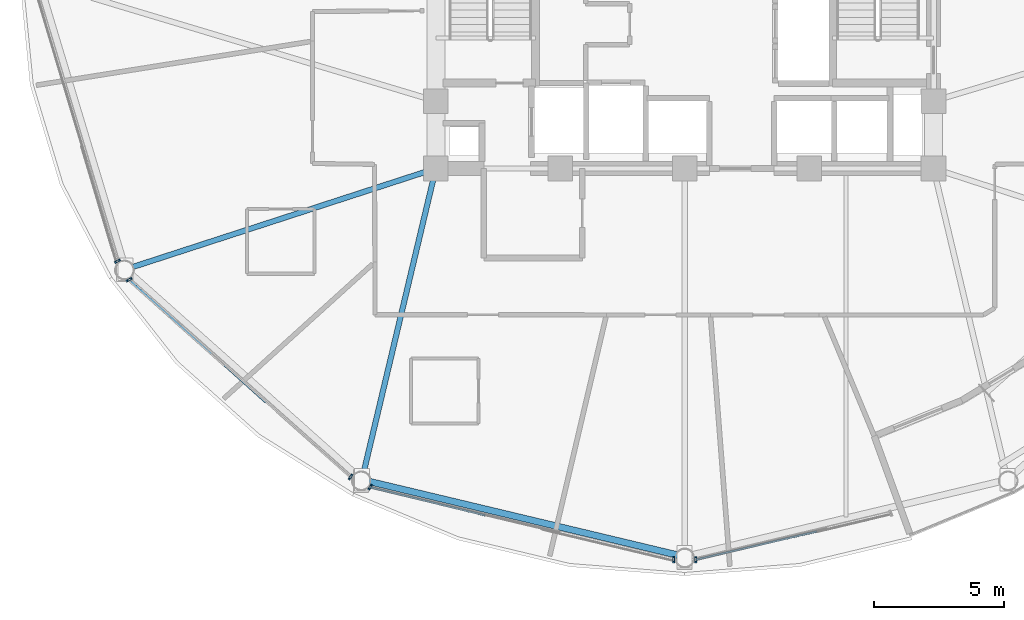
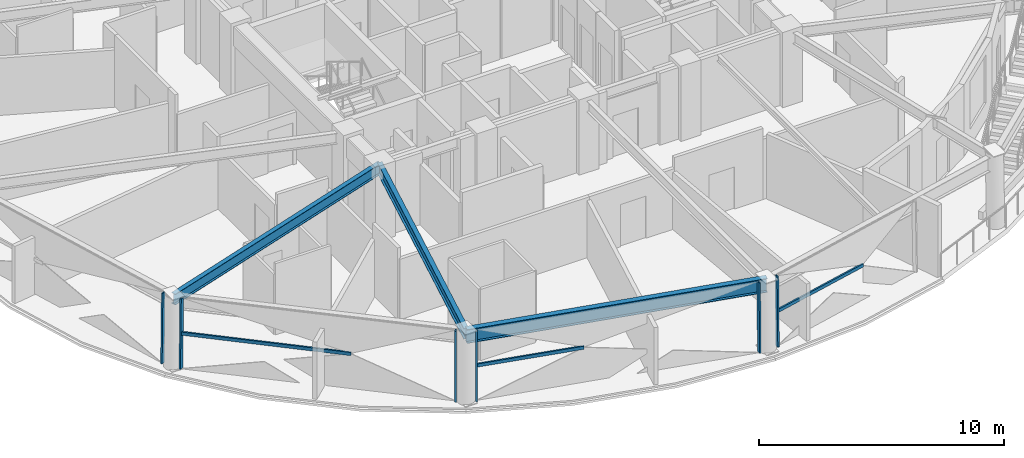
# One storey, part 2 of 18: 9 members, 3 beams, 4 elements without a shape of their own.
"""IFC4 building model written with IfcOpenShell, lengths in metres."""

from ifc_helpers import new_model, si_unit, direction, frame, origin, origin_2d, place, context, subcontext, project, spatial, hollow_rectangle, i_section, extrude, material, layer, layer_set, material_profile, profile_set, type_object, element, aggregate, save


model = new_model("IFC4")

# Units and contexts
model_context = context("Model", 3, precision=1e-05, world=origin(), true_north=direction((0.0, 1.0)))
body_context = subcontext(model_context, "Body", "Model", "MODEL_VIEW")
ifc_project = project(units=[si_unit("LENGTHUNIT", "METRE"), si_unit("AREAUNIT", "SQUARE_METRE"), si_unit("VOLUMEUNIT", "CUBIC_METRE"), si_unit("PLANEANGLEUNIT", "RADIAN"), si_unit("MASSUNIT", "GRAM", prefix="KILO")], contexts=[model_context])

# Site, building, storey
site_placement = place(None, origin())
site = spatial("IfcSite", under=ifc_project, at=site_placement, CompositionType="ELEMENT")
building_placement = place(site_placement, origin())
building = spatial("IfcBuilding", under=site, at=building_placement, Name="Vantalir Tower", CompositionType="ELEMENT")
storey_placement = place(building_placement, frame((0.0, 0.0, 138.449951171875)))
storey = spatial("IfcBuildingStorey", under=building, at=storey_placement, Name="L34", CompositionType="ELEMENT", Elevation=138.449951171875)

# Beams
ifc_material_1 = material(Name="Steel S355", Category="steel")
ifc_material_profile_1 = material_profile(ifc_material_1, i_section(OverallWidth=0.2109375, OverallDepth=0.5390625, WebThickness=0.01171875, FlangeThickness=0.018798828125, at=origin_2d()), Name="Steel S355")
ifc_profile_set_1 = profile_set([ifc_material_profile_1], Name="Steel S355")
beam_type_1 = type_object("IfcBeamType", Name="BM-RB-533x210", PredefinedType="BEAM", material=ifc_profile_set_1)
beam_1_placement = place(storey_placement, frame((9.929931640625, 13.909912109375, 3.301025390625), z_axis=(0.95103649201, 0.309078615996, 0.0), x_axis=(-0.309078615996, 0.95103649201, 0.0)))
element("IfcBeam", 1, at=beam_1_placement, inside=storey, type_object=beam_type_1, Name="L34 Radial Floor Beam 08", PredefinedType="BEAM", context=body_context, shape_type="SweptSolid", body=[
    extrude(i_section(OverallWidth=0.2109375, OverallDepth=0.5390625, WebThickness=0.01171875, FlangeThickness=0.018798828125, at=origin_2d()), origin(), (0.0, 0.0, 1.0), 12.586181640625),
])
beam_2_placement = place(storey_placement, frame((19.0458984375, 5.7919921875, 3.301025390625), z_axis=(0.231232753845, 0.972898460041, 0.0), x_axis=(-0.972898460041, 0.231232753845, 0.0)))
element("IfcBeam", 2, at=beam_2_placement, inside=storey, type_object=beam_type_1, Name="L34 Radial Floor Beam 09", PredefinedType="BEAM", context=body_context, shape_type="SweptSolid", body=[
    extrude(i_section(OverallWidth=0.2109375, OverallDepth=0.5390625, WebThickness=0.01171875, FlangeThickness=0.018798828125, at=origin_2d()), origin(), (0.0, 0.0, 1.0), 12.342529296875),
])
ifc_material_2 = material(Name="Steel S460", Category="steel")
ifc_material_profile_2 = material_profile(ifc_material_2, i_section(OverallWidth=0.256103515625, OverallDepth=0.693115234375, WebThickness=0.014404296875, FlangeThickness=0.023681640625, at=origin_2d()), Name="Steel S460")
ifc_profile_set_2 = profile_set([ifc_material_profile_2], Name="Steel S460")
beam_type_2 = type_object("IfcBeamType", Name="BM-RG-686x254", PredefinedType="USERDEFINED", material=ifc_profile_set_2)
beam_3_placement = place(storey_placement, frame((19.0458984375, 5.7919921875, 3.22412109375), z_axis=(0.97268885967, -0.23211286538, 0.0), x_axis=(0.23211286538, 0.97268885967, 0.0)))
element("IfcBeam", 3, at=beam_3_placement, inside=storey, type_object=beam_type_2, Name="L34 Circumferential Ring Girder 09", ObjectType="GIRDER", PredefinedType="USERDEFINED", context=body_context, shape_type="SweptSolid", body=[
    extrude(i_section(OverallWidth=0.256103515625, OverallDepth=0.693115234375, WebThickness=0.014404296875, FlangeThickness=0.023681640625, at=origin_2d()), origin(), (0.0, 0.0, 1.0), 12.8037109375),
])

# Curtain wall, member
ifc_material_3 = material(Name="Champagne-silver PVDF aluminium and double-silver Low-E glass", Category="aluminium")
ifc_layer = layer(ifc_material_3, 0.199951171875)
ifc_layer_set = layer_set([ifc_layer], Name="Champagne-silver PVDF aluminium and double-silver Low-E glass")
curtain_wall_type = type_object("IfcCurtainWallType", Name="CW-DIAMOND-Z2", PredefinedType="USERDEFINED", material=ifc_layer_set)
curtain_wall_1_placement = place(storey_placement, origin())
curtain_wall_1 = element("IfcCurtainWall", 4, at=curtain_wall_1_placement, inside=storey, type_object=curtain_wall_type, Name="L34 Quilted Pyramid-Diamond Curtain Wall S07", ObjectType="UNITISED CURTAIN WALL", PredefinedType="USERDEFINED")
ifc_material_4 = material(Name="Champagne-silver PVDF aluminium 6063-T6", Category="aluminium")
ifc_material_profile_3 = material_profile(ifc_material_4, hollow_rectangle(XDim=0.074951171875, YDim=0.179931640625, WallThickness=0.00390625, at=origin_2d()), Name="Champagne-silver PVDF aluminium 6063-T6")
ifc_profile_set_3 = profile_set([ifc_material_profile_3], Name="Champagne-silver PVDF aluminium 6063-T6")
member_type_1 = type_object("IfcMemberType", Name="CWM-180x75", PredefinedType="MULLION", material=ifc_profile_set_3)
member_1_placement = place(storey_placement, frame((9.5849609375, 14.2080078125, 0.045166015625), z_axis=(0.0152215377, 0.008066713528, 0.999851605451), x_axis=(-0.468261847765, 0.883589747523, 0.0)))
member_1 = element("IfcMember", 5, at=member_1_placement, type_object=member_type_1, Name="CW-L34-S07 Mullion 2", PredefinedType="MULLION", context=body_context, shape_type="SweptSolid", body=[
    extrude(hollow_rectangle(XDim=0.074951171875, YDim=0.179931640625, WallThickness=0.00390625, at=origin_2d()), origin(), (0.0, 0.0, 1.0), 3.48046875),
])
aggregate(curtain_wall_1, [member_1])

# Curtain wall, members
curtain_wall_2_placement = place(storey_placement, origin())
curtain_wall_2 = element("IfcCurtainWall", 6, at=curtain_wall_2_placement, inside=storey, type_object=curtain_wall_type, Name="L34 Quilted Pyramid-Diamond Curtain Wall S08", ObjectType="UNITISED CURTAIN WALL", PredefinedType="USERDEFINED")
member_2_placement = place(storey_placement, frame((10.0400390625, 13.493896484375, 0.045166015625), z_axis=(0.0152215377, 0.008066713528, 0.999851605451), x_axis=(-0.468261847765, 0.883589747523, 0.0)))
member_2 = element("IfcMember", 7, at=member_2_placement, type_object=member_type_1, Name="CW-L34-S08 Mullion 1", PredefinedType="MULLION", context=body_context, shape_type="SweptSolid", body=[
    extrude(hollow_rectangle(XDim=0.074951171875, YDim=0.179931640625, WallThickness=0.00390625, at=origin_2d()), origin(), (0.0, 0.0, 1.0), 3.48046875),
])
member_3_placement = place(storey_placement, frame((18.592041015625, 5.8720703125, 0.045166015625), z_axis=(0.008908583987, 0.013748680799, 0.999865796449), x_axis=(-0.839225358586, 0.543783778267, 0.0)))
member_3 = element("IfcMember", 8, at=member_3_placement, type_object=member_type_1, Name="CW-L34-S08 Mullion 2", PredefinedType="MULLION", context=body_context, shape_type="SweptSolid", body=[
    extrude(hollow_rectangle(XDim=0.074951171875, YDim=0.179931640625, WallThickness=0.00390625, at=origin_2d()), origin(), (0.0, 0.0, 1.0), 3.48046875),
])

curtain_wall_3_placement = place(storey_placement, origin())
curtain_wall_3 = element("IfcCurtainWall", 9, at=curtain_wall_3_placement, inside=storey, type_object=curtain_wall_type, Name="L34 Quilted Pyramid-Diamond Curtain Wall S09", ObjectType="UNITISED CURTAIN WALL", PredefinedType="USERDEFINED")
member_4_placement = place(storey_placement, frame((19.347900390625, 5.47705078125, 0.045166015625), z_axis=(0.008908583987, 0.013748680799, 0.999865796449), x_axis=(-0.839225358586, 0.543783778267, 0.0)))
member_4 = element("IfcMember", 10, at=member_4_placement, type_object=member_type_1, Name="CW-L34-S09 Mullion 1", PredefinedType="MULLION", context=body_context, shape_type="SweptSolid", body=[
    extrude(hollow_rectangle(XDim=0.074951171875, YDim=0.179931640625, WallThickness=0.00390625, at=origin_2d()), origin(), (0.0, 0.0, 1.0), 3.48046875),
])
member_5_placement = place(storey_placement, frame((31.072021484375, 2.677001953125, 0.045166015625), z_axis=(0.0, 0.015783076602, 0.999875439489), x_axis=(-1.0, 0.0, 0.0)))
member_5 = element("IfcMember", 11, at=member_5_placement, type_object=member_type_1, Name="CW-L34-S09 Mullion 2", PredefinedType="MULLION", context=body_context, shape_type="SweptSolid", body=[
    extrude(hollow_rectangle(XDim=0.074951171875, YDim=0.179931640625, WallThickness=0.00390625, at=origin_2d()), origin(), (0.0, 0.0, 1.0), 3.48046875),
])

# Curtain wall, member
curtain_wall_4_placement = place(storey_placement, origin())
curtain_wall_4 = element("IfcCurtainWall", 12, at=curtain_wall_4_placement, inside=storey, type_object=curtain_wall_type, Name="L34 Quilted Pyramid-Diamond Curtain Wall S10", ObjectType="UNITISED CURTAIN WALL", PredefinedType="USERDEFINED")
member_6_placement = place(storey_placement, frame((31.927978515625, 2.677001953125, 0.045166015625), z_axis=(0.0, 0.015783076602, 0.999875439489), x_axis=(-1.0, 0.0, 0.0)))
member_6 = element("IfcMember", 13, at=member_6_placement, type_object=member_type_1, Name="CW-L34-S10 Mullion 1", PredefinedType="MULLION", context=body_context, shape_type="SweptSolid", body=[
    extrude(hollow_rectangle(XDim=0.074951171875, YDim=0.179931640625, WallThickness=0.00390625, at=origin_2d()), origin(), (0.0, 0.0, 1.0), 3.48046875),
])

# Member
ifc_material_profile_4 = material_profile(ifc_material_4, hollow_rectangle(XDim=0.074951171875, YDim=0.159912109375, WallThickness=0.00390625, at=origin_2d()), Name="Champagne-silver PVDF aluminium 6063-T6")
ifc_profile_set_4 = profile_set([ifc_material_profile_4], Name="Champagne-silver PVDF aluminium 6063-T6")
member_type_2 = type_object("IfcMemberType", Name="CWT-160x75", PredefinedType="USERDEFINED", material=ifc_profile_set_4)
member_7_placement = place(storey_placement, frame((10.06689453125, 13.508056640625, 1.78515625), z_axis=(0.74421946743, -0.667935164741, 0.0), x_axis=(0.667935164741, 0.74421946743, 0.0)))
member_7 = element("IfcMember", 14, at=member_7_placement, type_object=member_type_2, Name="CW-L34-S08 Pyramid Fold Ridge Transom", ObjectType="TRANSOM", PredefinedType="USERDEFINED", context=body_context, shape_type="SweptSolid", body=[
    extrude(hollow_rectangle(XDim=0.074951171875, YDim=0.159912109375, WallThickness=0.00390625, at=origin_2d()), origin(), (0.0, 0.0, 1.0), 7.092041015625),
])

aggregate(curtain_wall_2, [member_2, member_3, member_7])

member_8_placement = place(storey_placement, frame((19.363037109375, 5.5009765625, 1.78515625), z_axis=(0.971429110303, -0.237329904683, 0.0), x_axis=(0.237329904683, 0.971429110303, 0.0)))
member_8 = element("IfcMember", 15, at=member_8_placement, type_object=member_type_2, Name="CW-L34-S09 Pyramid Fold Ridge Transom", ObjectType="TRANSOM", PredefinedType="USERDEFINED", context=body_context, shape_type="SweptSolid", body=[
    extrude(hollow_rectangle(XDim=0.074951171875, YDim=0.159912109375, WallThickness=0.00390625, at=origin_2d()), origin(), (0.0, 0.0, 1.0), 4.571533203125),
])

aggregate(curtain_wall_3, [member_4, member_5, member_8])

member_9_placement = place(storey_placement, frame((31.927978515625, 2.705078125, 1.78515625), z_axis=(0.973811146782, 0.22735841837, 0.0), x_axis=(-0.22735841837, 0.973811146782, 0.0)))
member_9 = element("IfcMember", 16, at=member_9_placement, type_object=member_type_2, Name="CW-L34-S10 Pyramid Fold Ridge Transom", ObjectType="TRANSOM", PredefinedType="USERDEFINED", context=body_context, shape_type="SweptSolid", body=[
    extrude(hollow_rectangle(XDim=0.074951171875, YDim=0.159912109375, WallThickness=0.00390625, at=origin_2d()), origin(), (0.0, 0.0, 1.0), 4.79345703125),
])

aggregate(curtain_wall_4, [member_6, member_9])

save(model, "model.ifc")
